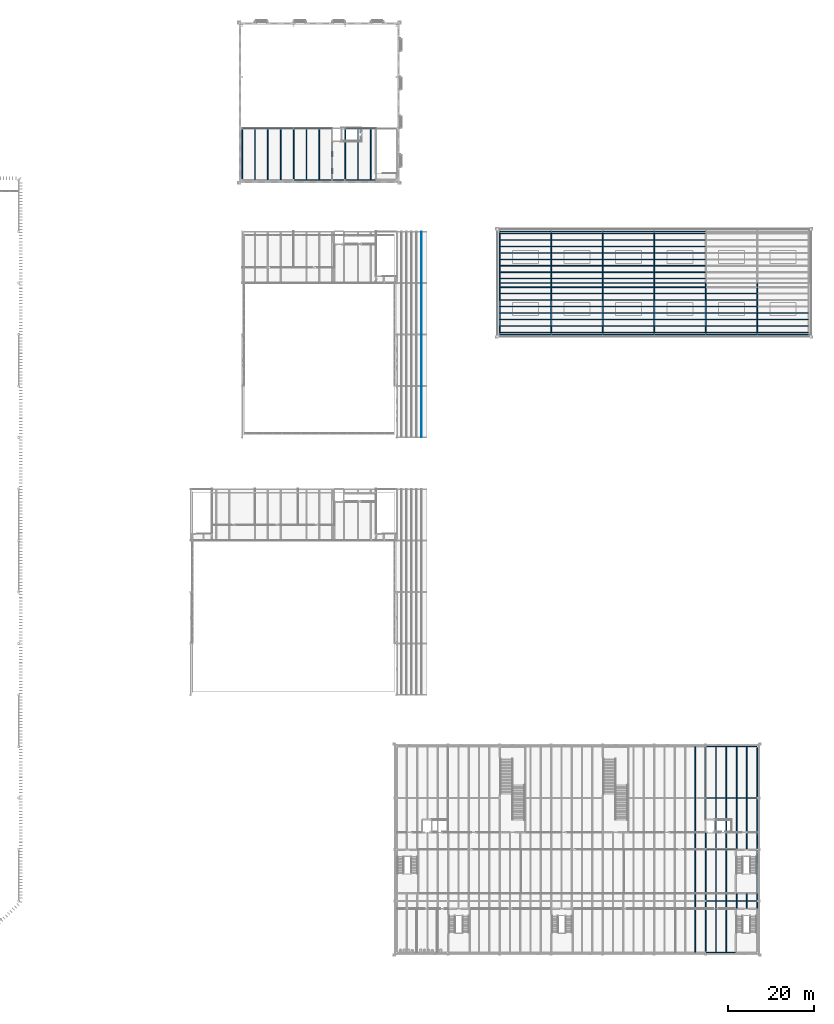
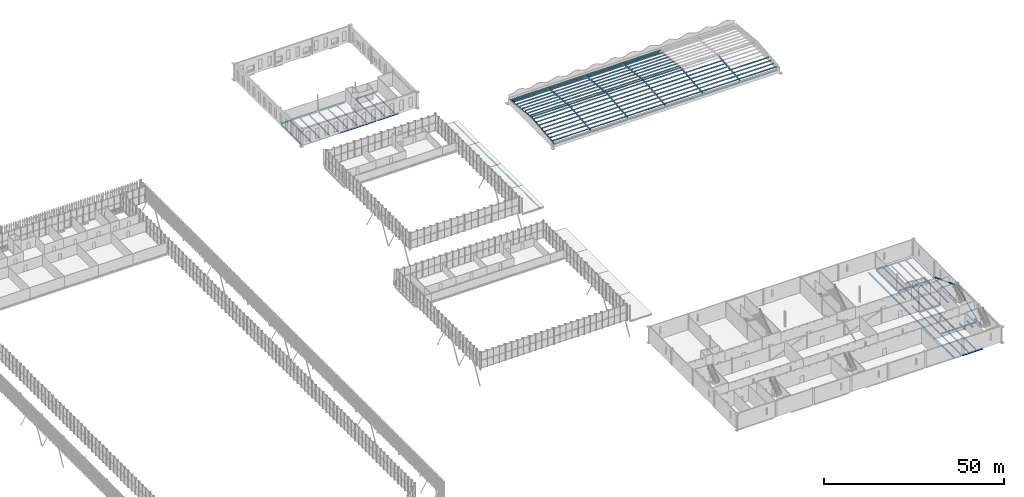
# One storey, part 84 of 170: 85 members, 70 beams.
"""IFC4 building model written with IfcOpenShell, lengths in metres."""

from ifc_helpers import new_model, si_unit, direction, frame, origin, origin_2d, place, context, subcontext, project, spatial, hollow_rectangle, i_section, extrude, material, material_profile, profile_set, type_object, element, save


model = new_model("IFC4")

# Units and contexts
model_context = context("Model", 3, precision=1e-05, world=origin(), true_north=direction((0.0, 1.0)))
body_context = subcontext(model_context, "Body", "Model", "MODEL_VIEW")
ifc_project = project(units=[si_unit("LENGTHUNIT", "METRE"), si_unit("AREAUNIT", "SQUARE_METRE"), si_unit("VOLUMEUNIT", "CUBIC_METRE"), si_unit("PLANEANGLEUNIT", "RADIAN"), si_unit("MASSUNIT", "GRAM", prefix="KILO")], contexts=[model_context])

# Site, building, storey
site_placement = place(None, origin())
site = spatial("IfcSite", under=ifc_project, at=site_placement, CompositionType="ELEMENT")
building_placement = place(site_placement, origin())
building = spatial("IfcBuilding", under=site, at=building_placement, Name="Ravi Spectrum Wholesale Market", CompositionType="ELEMENT")
storey_placement = place(building_placement, frame((0.0, 0.0, 5.39990234375)))
storey = spatial("IfcBuildingStorey", under=building, at=storey_placement, Name="L01", CompositionType="ELEMENT", Elevation=5.39990234375)

# Members
ifc_material_1 = material(Name="Steel S355", Category="steel")
ifc_material_profile_1 = material_profile(ifc_material_1, i_section(OverallWidth=0.10009765625, OverallDepth=0.199951171875, WebThickness=0.005615234375, FlangeThickness=0.008544921875, at=origin_2d()))
ifc_profile_set_1 = profile_set([ifc_material_profile_1], Name="Steel S355")
member_type_1 = type_object("IfcMemberType", Name="IPE 200 purlin", PredefinedType="PURLIN", material=ifc_profile_set_1)
for number, where, z_axis, x_axis, name in (
    (1, (203.833251953125, 138.0849609375, -0.099853515625), (0.0, 1.0, 0.0), (-1.0, 0.0, 0.0), "H3-MB-L01-013"),
    (2, (203.833251953125, 150.0849609375, -0.099853515625), (0.0, 1.0, 0.0), (-1.0, 0.0, 0.0), "H3-MB-L01-018"),
    (3, (203.833251953125, 162.0849609375, -0.099853515625), (0.0, 1.0, 0.0), (-1.0, 0.0, 0.0), "H3-MB-L01-023"),
    (4, (203.833251953125, 174.0849609375, -0.099853515625), (0.0, 1.0, 0.0), (-1.0, 0.0, 0.0), "H3-MB-L01-028"),
):
    element("IfcMember", number, at=place(storey_placement, frame(where, z_axis=z_axis, x_axis=x_axis)), inside=storey, type_object=member_type_1, Name=name, PredefinedType="PURLIN", context=body_context, shape_type="SweptSolid", body=[
        extrude(i_section(OverallWidth=0.10009765625, OverallDepth=0.199951171875, WebThickness=0.005615234375, FlangeThickness=0.008544921875, at=origin_2d()), origin(), (0.0, 0.0, 1.0), 11.830078125),
    ])
ifc_material_2 = material(Name="Steel S355", Category="steel")
ifc_material_profile_2 = material_profile(ifc_material_2, i_section(OverallWidth=0.135009765625, OverallDepth=0.27001953125, WebThickness=0.006591796875, FlangeThickness=0.01025390625, at=origin_2d()))
ifc_profile_set_2 = profile_set([ifc_material_profile_2], Name="Steel S355")
member_type_2 = type_object("IfcMemberType", Name="IPE 270 purlin", PredefinedType="PURLIN", material=ifc_profile_set_2)
for number, where, z_axis, x_axis, name in (
    (5, (222.10009765625, 162.5, 1.601318359375), (1.0, 0.0, 0.0), (0.0, 1.0, 0.0), "GS-MB-L01-001"),
    (6, (222.10009765625, 164.0, 1.751220703125), (1.0, 0.0, 0.0), (0.0, 1.0, 0.0), "GS-MB-L01-002"),
    (7, (222.10009765625, 165.5, 1.9013671875), (1.0, 0.0, 0.0), (0.0, 1.0, 0.0), "GS-MB-L01-003"),
    (8, (222.10009765625, 167.0, 2.05126953125), (1.0, 0.0, 0.0), (0.0, 1.0, 0.0), "GS-MB-L01-004"),
    (9, (222.10009765625, 168.5, 2.201171875), (1.0, 0.0, 0.0), (0.0, 1.0, 0.0), "GS-MB-L01-005"),
    (10, (222.10009765625, 170.0, 2.351318359375), (1.0, 0.0, 0.0), (0.0, 1.0, 0.0), "GS-MB-L01-006"),
    (11, (222.10009765625, 171.5, 2.501220703125), (1.0, 0.0, 0.0), (0.0, 1.0, 0.0), "GS-MB-L01-007"),
    (12, (222.10009765625, 173.0, 2.6513671875), (1.0, 0.0, 0.0), (0.0, 1.0, 0.0), "GS-MB-L01-008"),
    (13, (222.10009765625, 185.5, 1.601318359375), (1.0, 0.0, 0.0), (0.0, 1.0, 0.0), "GS-MB-L01-009"),
    (14, (222.10009765625, 184.0, 1.751220703125), (1.0, 0.0, 0.0), (0.0, 1.0, 0.0), "GS-MB-L01-010"),
    (15, (222.10009765625, 182.5, 1.9013671875), (1.0, 0.0, 0.0), (0.0, 1.0, 0.0), "GS-MB-L01-011"),
    (16, (222.10009765625, 181.0, 2.05126953125), (1.0, 0.0, 0.0), (0.0, 1.0, 0.0), "GS-MB-L01-012"),
    (17, (222.10009765625, 179.5, 2.201171875), (1.0, 0.0, 0.0), (0.0, 1.0, 0.0), "GS-MB-L01-013"),
    (18, (222.10009765625, 178.0, 2.351318359375), (1.0, 0.0, 0.0), (0.0, 1.0, 0.0), "GS-MB-L01-014"),
    (19, (222.10009765625, 176.5, 2.501220703125), (1.0, 0.0, 0.0), (0.0, 1.0, 0.0), "GS-MB-L01-015"),
    (20, (222.10009765625, 175.0, 2.6513671875), (1.0, 0.0, 0.0), (0.0, 1.0, 0.0), "GS-MB-L01-016"),
    (21, (222.10009765625, 174.0, 2.744384765625), (1.0, 0.0, 0.0), (0.0, 1.0, 0.0), "GS-MB-L01-017"),
    (22, (234.10009765625, 162.5, 1.601318359375), (1.0, 0.0, 0.0), (0.0, 1.0, 0.0), "GS-MB-L01-018"),
    (23, (234.10009765625, 164.0, 1.751220703125), (1.0, 0.0, 0.0), (0.0, 1.0, 0.0), "GS-MB-L01-019"),
    (24, (234.10009765625, 165.5, 1.9013671875), (1.0, 0.0, 0.0), (0.0, 1.0, 0.0), "GS-MB-L01-020"),
    (25, (234.10009765625, 167.0, 2.05126953125), (1.0, 0.0, 0.0), (0.0, 1.0, 0.0), "GS-MB-L01-021"),
    (26, (234.10009765625, 168.5, 2.201171875), (1.0, 0.0, 0.0), (0.0, 1.0, 0.0), "GS-MB-L01-022"),
    (27, (234.10009765625, 170.0, 2.351318359375), (1.0, 0.0, 0.0), (0.0, 1.0, 0.0), "GS-MB-L01-023"),
    (28, (234.10009765625, 171.5, 2.501220703125), (1.0, 0.0, 0.0), (0.0, 1.0, 0.0), "GS-MB-L01-024"),
    (29, (234.10009765625, 173.0, 2.6513671875), (1.0, 0.0, 0.0), (0.0, 1.0, 0.0), "GS-MB-L01-025"),
    (30, (234.10009765625, 185.5, 1.601318359375), (1.0, 0.0, 0.0), (0.0, 1.0, 0.0), "GS-MB-L01-026"),
    (31, (234.10009765625, 184.0, 1.751220703125), (1.0, 0.0, 0.0), (0.0, 1.0, 0.0), "GS-MB-L01-027"),
    (32, (234.10009765625, 182.5, 1.9013671875), (1.0, 0.0, 0.0), (0.0, 1.0, 0.0), "GS-MB-L01-028"),
    (33, (234.10009765625, 181.0, 2.05126953125), (1.0, 0.0, 0.0), (0.0, 1.0, 0.0), "GS-MB-L01-029"),
    (34, (234.10009765625, 179.5, 2.201171875), (1.0, 0.0, 0.0), (0.0, 1.0, 0.0), "GS-MB-L01-030"),
    (35, (234.10009765625, 178.0, 2.351318359375), (1.0, 0.0, 0.0), (0.0, 1.0, 0.0), "GS-MB-L01-031"),
    (36, (234.10009765625, 176.5, 2.501220703125), (1.0, 0.0, 0.0), (0.0, 1.0, 0.0), "GS-MB-L01-032"),
    (37, (234.10009765625, 175.0, 2.6513671875), (1.0, 0.0, 0.0), (0.0, 1.0, 0.0), "GS-MB-L01-033"),
    (38, (234.10009765625, 174.0, 2.744384765625), (1.0, 0.0, 0.0), (0.0, 1.0, 0.0), "GS-MB-L01-034"),
    (39, (246.10009765625, 162.5, 1.601318359375), (1.0, 0.0, 0.0), (0.0, 1.0, 0.0), "GS-MB-L01-035"),
    (40, (246.10009765625, 164.0, 1.751220703125), (1.0, 0.0, 0.0), (0.0, 1.0, 0.0), "GS-MB-L01-036"),
    (41, (246.10009765625, 165.5, 1.9013671875), (1.0, 0.0, 0.0), (0.0, 1.0, 0.0), "GS-MB-L01-037"),
    (42, (246.10009765625, 167.0, 2.05126953125), (1.0, 0.0, 0.0), (0.0, 1.0, 0.0), "GS-MB-L01-038"),
    (43, (246.10009765625, 168.5, 2.201171875), (1.0, 0.0, 0.0), (0.0, 1.0, 0.0), "GS-MB-L01-039"),
    (44, (246.10009765625, 170.0, 2.351318359375), (1.0, 0.0, 0.0), (0.0, 1.0, 0.0), "GS-MB-L01-040"),
    (45, (246.10009765625, 171.5, 2.501220703125), (1.0, 0.0, 0.0), (0.0, 1.0, 0.0), "GS-MB-L01-041"),
    (46, (246.10009765625, 173.0, 2.6513671875), (1.0, 0.0, 0.0), (0.0, 1.0, 0.0), "GS-MB-L01-042"),
    (47, (246.10009765625, 185.5, 1.601318359375), (1.0, 0.0, 0.0), (0.0, 1.0, 0.0), "GS-MB-L01-043"),
    (48, (246.10009765625, 184.0, 1.751220703125), (1.0, 0.0, 0.0), (0.0, 1.0, 0.0), "GS-MB-L01-044"),
    (49, (246.10009765625, 182.5, 1.9013671875), (1.0, 0.0, 0.0), (0.0, 1.0, 0.0), "GS-MB-L01-045"),
    (50, (246.10009765625, 181.0, 2.05126953125), (1.0, 0.0, 0.0), (0.0, 1.0, 0.0), "GS-MB-L01-046"),
    (51, (246.10009765625, 179.5, 2.201171875), (1.0, 0.0, 0.0), (0.0, 1.0, 0.0), "GS-MB-L01-047"),
    (52, (246.10009765625, 178.0, 2.351318359375), (1.0, 0.0, 0.0), (0.0, 1.0, 0.0), "GS-MB-L01-048"),
    (53, (246.10009765625, 176.5, 2.501220703125), (1.0, 0.0, 0.0), (0.0, 1.0, 0.0), "GS-MB-L01-049"),
    (54, (246.10009765625, 175.0, 2.6513671875), (1.0, 0.0, 0.0), (0.0, 1.0, 0.0), "GS-MB-L01-050"),
    (55, (246.10009765625, 174.0, 2.744384765625), (1.0, 0.0, 0.0), (0.0, 1.0, 0.0), "GS-MB-L01-051"),
    (56, (258.10009765625, 162.5, 1.601318359375), (1.0, 0.0, 0.0), (0.0, 1.0, 0.0), "GS-MB-L01-052"),
    (57, (258.10009765625, 164.0, 1.751220703125), (1.0, 0.0, 0.0), (0.0, 1.0, 0.0), "GS-MB-L01-053"),
    (58, (258.10009765625, 165.5, 1.9013671875), (1.0, 0.0, 0.0), (0.0, 1.0, 0.0), "GS-MB-L01-054"),
    (59, (258.10009765625, 167.0, 2.05126953125), (1.0, 0.0, 0.0), (0.0, 1.0, 0.0), "GS-MB-L01-055"),
    (60, (258.10009765625, 168.5, 2.201171875), (1.0, 0.0, 0.0), (0.0, 1.0, 0.0), "GS-MB-L01-056"),
    (61, (258.10009765625, 170.0, 2.351318359375), (1.0, 0.0, 0.0), (0.0, 1.0, 0.0), "GS-MB-L01-057"),
    (62, (258.10009765625, 171.5, 2.501220703125), (1.0, 0.0, 0.0), (0.0, 1.0, 0.0), "GS-MB-L01-058"),
    (63, (258.10009765625, 173.0, 2.6513671875), (1.0, 0.0, 0.0), (0.0, 1.0, 0.0), "GS-MB-L01-059"),
    (64, (258.10009765625, 185.5, 1.601318359375), (1.0, 0.0, 0.0), (0.0, 1.0, 0.0), "GS-MB-L01-060"),
    (65, (258.10009765625, 184.0, 1.751220703125), (1.0, 0.0, 0.0), (0.0, 1.0, 0.0), "GS-MB-L01-061"),
    (66, (258.10009765625, 182.5, 1.9013671875), (1.0, 0.0, 0.0), (0.0, 1.0, 0.0), "GS-MB-L01-062"),
    (67, (258.10009765625, 181.0, 2.05126953125), (1.0, 0.0, 0.0), (0.0, 1.0, 0.0), "GS-MB-L01-063"),
    (68, (258.10009765625, 179.5, 2.201171875), (1.0, 0.0, 0.0), (0.0, 1.0, 0.0), "GS-MB-L01-064"),
    (69, (258.10009765625, 178.0, 2.351318359375), (1.0, 0.0, 0.0), (0.0, 1.0, 0.0), "GS-MB-L01-065"),
    (70, (258.10009765625, 176.5, 2.501220703125), (1.0, 0.0, 0.0), (0.0, 1.0, 0.0), "GS-MB-L01-066"),
    (71, (258.10009765625, 175.0, 2.6513671875), (1.0, 0.0, 0.0), (0.0, 1.0, 0.0), "GS-MB-L01-067"),
    (72, (258.10009765625, 174.0, 2.744384765625), (1.0, 0.0, 0.0), (0.0, 1.0, 0.0), "GS-MB-L01-068"),
    (73, (270.10009765625, 162.5, 1.601318359375), (1.0, 0.0, 0.0), (0.0, 1.0, 0.0), "GS-MB-L01-069"),
    (74, (270.10009765625, 164.0, 1.751220703125), (1.0, 0.0, 0.0), (0.0, 1.0, 0.0), "GS-MB-L01-070"),
    (75, (270.10009765625, 165.5, 1.9013671875), (1.0, 0.0, 0.0), (0.0, 1.0, 0.0), "GS-MB-L01-071"),
    (76, (270.10009765625, 167.0, 2.05126953125), (1.0, 0.0, 0.0), (0.0, 1.0, 0.0), "GS-MB-L01-072"),
    (77, (270.10009765625, 168.5, 2.201171875), (1.0, 0.0, 0.0), (0.0, 1.0, 0.0), "GS-MB-L01-073"),
    (78, (270.10009765625, 170.0, 2.351318359375), (1.0, 0.0, 0.0), (0.0, 1.0, 0.0), "GS-MB-L01-074"),
    (79, (270.10009765625, 171.5, 2.501220703125), (1.0, 0.0, 0.0), (0.0, 1.0, 0.0), "GS-MB-L01-075"),
    (80, (282.10009765625, 162.5, 1.601318359375), (1.0, 0.0, 0.0), (0.0, 1.0, 0.0), "GS-MB-L01-086"),
    (81, (282.10009765625, 164.0, 1.751220703125), (1.0, 0.0, 0.0), (0.0, 1.0, 0.0), "GS-MB-L01-087"),
    (82, (282.10009765625, 165.5, 1.9013671875), (1.0, 0.0, 0.0), (0.0, 1.0, 0.0), "GS-MB-L01-088"),
    (83, (282.10009765625, 167.0, 2.05126953125), (1.0, 0.0, 0.0), (0.0, 1.0, 0.0), "GS-MB-L01-089"),
):
    element("IfcMember", number, at=place(storey_placement, frame(where, z_axis=z_axis, x_axis=x_axis)), inside=storey, type_object=member_type_2, Name=name, PredefinedType="PURLIN", context=body_context, shape_type="SweptSolid", body=[
        extrude(i_section(OverallWidth=0.135009765625, OverallDepth=0.27001953125, WebThickness=0.006591796875, FlangeThickness=0.01025390625, at=origin_2d()), origin(), (0.0, 0.0, 1.0), 11.7998046875),
    ])

# Beams
ifc_material_3 = material(Name="Steel S355", Category="steel")
ifc_material_profile_3 = material_profile(ifc_material_3, i_section(OverallWidth=0.169921875, OverallDepth=0.360107421875, WebThickness=0.008056640625, FlangeThickness=0.0126953125, at=origin_2d()))
ifc_profile_set_3 = profile_set([ifc_material_profile_3], Name="Steel S355")
beam_type_1 = type_object("IfcBeamType", Name="IPE 360 beam", PredefinedType="BEAM", material=ifc_profile_set_3)
for number, where, z_axis, x_axis, name in (
    (84, (222.14990234375, 162.0, 0.72705078125), (1.0, 0.0, 0.0), (0.0, 1.0, 0.0), "GS-BM-L01-001"),
    (85, (234.14990234375, 162.0, 0.72705078125), (1.0, 0.0, 0.0), (0.0, 1.0, 0.0), "GS-BM-L01-002"),
    (86, (246.14990234375, 162.0, 0.72705078125), (1.0, 0.0, 0.0), (0.0, 1.0, 0.0), "GS-BM-L01-003"),
    (87, (258.14990234375, 162.0, 0.72705078125), (1.0, 0.0, 0.0), (0.0, 1.0, 0.0), "GS-BM-L01-004"),
    (88, (270.14990234375, 162.0, 0.72705078125), (1.0, 0.0, 0.0), (0.0, 1.0, 0.0), "GS-BM-L01-005"),
    (89, (282.14990234375, 162.0, 0.72705078125), (1.0, 0.0, 0.0), (0.0, 1.0, 0.0), "GS-BM-L01-006"),
    (90, (222.14990234375, 186.0, 0.72705078125), (1.0, 0.0, 0.0), (0.0, 1.0, 0.0), "GS-BM-L01-007"),
    (91, (234.14990234375, 186.0, 0.72705078125), (1.0, 0.0, 0.0), (0.0, 1.0, 0.0), "GS-BM-L01-008"),
    (92, (246.14990234375, 186.0, 0.72705078125), (1.0, 0.0, 0.0), (0.0, 1.0, 0.0), "GS-BM-L01-009"),
    (93, (258.14990234375, 186.0, 0.72705078125), (1.0, 0.0, 0.0), (0.0, 1.0, 0.0), "GS-BM-L01-010"),
):
    element("IfcBeam", number, at=place(storey_placement, frame(where, z_axis=z_axis, x_axis=x_axis)), inside=storey, type_object=beam_type_1, Name=name, PredefinedType="BEAM", context=body_context, shape_type="SweptSolid", body=[
        extrude(i_section(OverallWidth=0.169921875, OverallDepth=0.360107421875, WebThickness=0.008056640625, FlangeThickness=0.0126953125, at=origin_2d()), origin(), (0.0, 0.0, 1.0), 11.7001953125),
    ])
ifc_material_4 = material(Name="Steel S355", Category="steel")
ifc_material_profile_4 = material_profile(ifc_material_4, i_section(OverallWidth=0.179931640625, OverallDepth=0.39990234375, WebThickness=0.008544921875, FlangeThickness=0.013427734375, at=origin_2d()))
ifc_profile_set_4 = profile_set([ifc_material_profile_4], Name="Steel S355")
beam_type_2 = type_object("IfcBeamType", Name="IPE 400 girder", PredefinedType="BEAM", material=ifc_profile_set_4)
for number, where, z_axis, x_axis, name in (
    (94, (165.0, 198.10009765625, -0.39990234375), (0.0, 1.0, 0.0), (-1.0, 0.0, 0.0), "AU-BM-L01-011"),
    (95, (168.0, 198.10009765625, -0.39990234375), (0.0, 1.0, 0.0), (-1.0, 0.0, 0.0), "AU-BM-L01-012"),
    (96, (171.0, 198.10009765625, -0.39990234375), (0.0, 1.0, 0.0), (-1.0, 0.0, 0.0), "AU-BM-L01-013"),
    (97, (177.0, 198.10009765625, -0.39990234375), (0.0, 1.0, 0.0), (-1.0, 0.0, 0.0), "AU-BM-L01-014"),
    (98, (180.0, 198.10009765625, -0.39990234375), (0.0, 1.0, 0.0), (-1.0, 0.0, 0.0), "AU-BM-L01-015"),
):
    element("IfcBeam", number, at=place(storey_placement, frame(where, z_axis=z_axis, x_axis=x_axis)), inside=storey, type_object=beam_type_2, Name=name, PredefinedType="BEAM", context=body_context, shape_type="SweptSolid", body=[
        extrude(i_section(OverallWidth=0.179931640625, OverallDepth=0.39990234375, WebThickness=0.008544921875, FlangeThickness=0.013427734375, at=origin_2d()), origin(), (0.0, 0.0, 1.0), 11.7998046875),
    ])
beam_1_placement = place(storey_placement, frame((183.0, 198.10009765625, -0.39990234375), z_axis=(0.0, 1.0, 0.0), x_axis=(-1.0, 0.0, 0.0)))
element("IfcBeam", 99, at=beam_1_placement, inside=storey, type_object=beam_type_2, Name="AU-BM-L01-016", PredefinedType="BEAM", context=body_context, shape_type="SweptSolid", body=[
    extrude(i_section(OverallWidth=0.179931640625, OverallDepth=0.39990234375, WebThickness=0.008544921875, FlangeThickness=0.013427734375, at=origin_2d()), origin(), (0.0, 0.0, 1.0), 8.824951171875),
])
for number, where, z_axis, x_axis, name in (
    (100, (189.0, 198.10009765625, -0.39990234375), (0.0, 1.0, 0.0), (-1.0, 0.0, 0.0), "AU-BM-L01-017"),
    (101, (192.0, 198.10009765625, -0.39990234375), (0.0, 1.0, 0.0), (-1.0, 0.0, 0.0), "AU-BM-L01-018"),
):
    element("IfcBeam", number, at=place(storey_placement, frame(where, z_axis=z_axis, x_axis=x_axis)), inside=storey, type_object=beam_type_2, Name=name, PredefinedType="BEAM", context=body_context, shape_type="SweptSolid", body=[
        extrude(i_section(OverallWidth=0.179931640625, OverallDepth=0.39990234375, WebThickness=0.008544921875, FlangeThickness=0.013427734375, at=origin_2d()), origin(), (0.0, 0.0, 1.0), 11.7998046875),
    ])
ifc_material_5 = material(Name="Steel S355", Category="steel")
ifc_material_profile_5 = material_profile(ifc_material_5, i_section(OverallWidth=0.18994140625, OverallDepth=0.449951171875, WebThickness=0.009521484375, FlangeThickness=0.0146484375, at=origin_2d()))
ifc_profile_set_5 = profile_set([ifc_material_profile_5], Name="Steel S355")
beam_type_3 = type_object("IfcBeamType", Name="IPE 450 girder", PredefinedType="BEAM", material=ifc_profile_set_5)
beam_2_placement = place(storey_placement, frame((270.0, 18.169921875, -0.474853515625), z_axis=(0.0, 1.0, 0.0), x_axis=(-1.0, 0.0, 0.0)))
element("IfcBeam", 102, at=beam_2_placement, inside=storey, type_object=beam_type_3, Name="CS-BM-L01-059", PredefinedType="BEAM", context=body_context, shape_type="SweptSolid", body=[
    extrude(i_section(OverallWidth=0.18994140625, OverallDepth=0.449951171875, WebThickness=0.009521484375, FlangeThickness=0.0146484375, at=origin_2d()), origin(), (0.0, 0.0, 1.0), 11.630126953125),
])
beam_3_placement = place(storey_placement, frame((270.0, 30.199951171875, -0.474853515625), z_axis=(0.0, 1.0, 0.0), x_axis=(-1.0, 0.0, 0.0)))
element("IfcBeam", 103, at=beam_3_placement, inside=storey, type_object=beam_type_3, Name="CS-BM-L01-060", PredefinedType="BEAM", context=body_context, shape_type="SweptSolid", body=[
    extrude(i_section(OverallWidth=0.18994140625, OverallDepth=0.449951171875, WebThickness=0.009521484375, FlangeThickness=0.0146484375, at=origin_2d()), origin(), (0.0, 0.0, 1.0), 11.60009765625),
])
beam_4_placement = place(storey_placement, frame((270.0, 42.199951171875, -0.474853515625), z_axis=(0.0, 1.0, 0.0), x_axis=(-1.0, 0.0, 0.0)))
element("IfcBeam", 104, at=beam_4_placement, inside=storey, type_object=beam_type_3, Name="CS-BM-L01-061", PredefinedType="BEAM", context=body_context, shape_type="SweptSolid", body=[
    extrude(i_section(OverallWidth=0.18994140625, OverallDepth=0.449951171875, WebThickness=0.009521484375, FlangeThickness=0.0146484375, at=origin_2d()), origin(), (0.0, 0.0, 1.0), 3.675048828125),
])
beam_5_placement = place(storey_placement, frame((270.0, 49.074951171875, -0.474853515625), z_axis=(0.0, 1.0, 0.0), x_axis=(-1.0, 0.0, 0.0)))
element("IfcBeam", 105, at=beam_5_placement, inside=storey, type_object=beam_type_3, Name="CS-BM-L01-062", PredefinedType="BEAM", context=body_context, shape_type="SweptSolid", body=[
    extrude(i_section(OverallWidth=0.18994140625, OverallDepth=0.449951171875, WebThickness=0.009521484375, FlangeThickness=0.0146484375, at=origin_2d()), origin(), (0.0, 0.0, 1.0), 4.72509765625),
])
beam_6_placement = place(storey_placement, frame((270.0, 54.199951171875, -0.474853515625), z_axis=(0.0, 1.0, 0.0), x_axis=(-1.0, 0.0, 0.0)))
element("IfcBeam", 106, at=beam_6_placement, inside=storey, type_object=beam_type_3, Name="CS-BM-L01-063", PredefinedType="BEAM", context=body_context, shape_type="SweptSolid", body=[
    extrude(i_section(OverallWidth=0.18994140625, OverallDepth=0.449951171875, WebThickness=0.009521484375, FlangeThickness=0.0146484375, at=origin_2d()), origin(), (0.0, 0.0, 1.0), 11.630126953125),
])
for number, where, z_axis, x_axis, name in (
    (107, (282.0, 28.324951171875, -0.474853515625), (0.0, 1.0, 0.0), (-1.0, 0.0, 0.0), "CS-BM-L01-064"),
    (108, (282.0, 30.169921875, -0.474853515625), (0.0, 1.0, 0.0), (-1.0, 0.0, 0.0), "CS-BM-L01-065"),
):
    element("IfcBeam", number, at=place(storey_placement, frame(where, z_axis=z_axis, x_axis=x_axis)), inside=storey, type_object=beam_type_3, Name=name, PredefinedType="BEAM", context=body_context, shape_type="SweptSolid", body=[
        extrude(i_section(OverallWidth=0.18994140625, OverallDepth=0.449951171875, WebThickness=0.009521484375, FlangeThickness=0.0146484375, at=origin_2d()), origin(), (0.0, 0.0, 1.0), 1.505126953125),
    ])
for number, where, z_axis, x_axis, name in (
    (109, (282.0, 42.169921875, -0.474853515625), (0.0, 1.0, 0.0), (-1.0, 0.0, 0.0), "CS-BM-L01-066"),
    (110, (282.0, 54.169921875, -0.474853515625), (0.0, 1.0, 0.0), (-1.0, 0.0, 0.0), "CS-BM-L01-067"),
    (111, (162.0, 198.169921875, -0.4248046875), (0.0, 1.0, 0.0), (-1.0, 0.0, 0.0), "AU-BM-L01-008"),
    (112, (174.0, 198.169921875, -0.4248046875), (0.0, 1.0, 0.0), (-1.0, 0.0, 0.0), "AU-BM-L01-009"),
    (113, (186.0, 198.169921875, -0.4248046875), (0.0, 1.0, 0.0), (-1.0, 0.0, 0.0), "AU-BM-L01-010"),
):
    element("IfcBeam", number, at=place(storey_placement, frame(where, z_axis=z_axis, x_axis=x_axis)), inside=storey, type_object=beam_type_3, Name=name, PredefinedType="BEAM", context=body_context, shape_type="SweptSolid", body=[
        extrude(i_section(OverallWidth=0.18994140625, OverallDepth=0.449951171875, WebThickness=0.009521484375, FlangeThickness=0.0146484375, at=origin_2d()), origin(), (0.0, 0.0, 1.0), 11.66015625),
    ])
ifc_material_6 = material(Name="Steel S355", Category="steel")
ifc_material_profile_6 = material_profile(ifc_material_6, i_section(OverallWidth=0.199951171875, OverallDepth=0.5, WebThickness=0.01025390625, FlangeThickness=0.01611328125, at=origin_2d()))
ifc_profile_set_6 = profile_set([ifc_material_profile_6], Name="Steel S355")
beam_type_4 = type_object("IfcBeamType", Name="IPE 500 beam", PredefinedType="BEAM", material=ifc_profile_set_6)
beam_7_placement = place(storey_placement, frame((270.14990234375, 18.0, -0.5), z_axis=(1.0, 0.0, 0.0), x_axis=(0.0, 1.0, 0.0)))
element("IfcBeam", 114, at=beam_7_placement, inside=storey, type_object=beam_type_4, Name="CS-BM-L01-007", PredefinedType="BEAM", context=body_context, shape_type="SweptSolid", body=[
    extrude(i_section(OverallWidth=0.199951171875, OverallDepth=0.5, WebThickness=0.01025390625, FlangeThickness=0.01611328125, at=origin_2d()), origin(), (0.0, 0.0, 1.0), 6.72509765625),
])
beam_8_placement = place(storey_placement, frame((270.14990234375, 30.0, -0.5), z_axis=(1.0, 0.0, 0.0), x_axis=(0.0, 1.0, 0.0)))
element("IfcBeam", 115, at=beam_8_placement, inside=storey, type_object=beam_type_4, Name="CS-BM-L01-014", PredefinedType="BEAM", context=body_context, shape_type="SweptSolid", body=[
    extrude(i_section(OverallWidth=0.199951171875, OverallDepth=0.5, WebThickness=0.01025390625, FlangeThickness=0.01611328125, at=origin_2d()), origin(), (0.0, 0.0, 1.0), 11.7001953125),
])
beam_9_placement = place(storey_placement, frame((270.14990234375, 42.0, -0.5), z_axis=(1.0, 0.0, 0.0), x_axis=(0.0, 1.0, 0.0)))
element("IfcBeam", 116, at=beam_9_placement, inside=storey, type_object=beam_type_4, Name="CS-BM-L01-021", PredefinedType="BEAM", context=body_context, shape_type="SweptSolid", body=[
    extrude(i_section(OverallWidth=0.199951171875, OverallDepth=0.5, WebThickness=0.01025390625, FlangeThickness=0.01611328125, at=origin_2d()), origin(), (0.0, 0.0, 1.0), 6.72509765625),
])
for number, where, z_axis, x_axis, name in (
    (117, (270.14990234375, 54.0, -0.5), (1.0, 0.0, 0.0), (0.0, 1.0, 0.0), "CS-BM-L01-028"),
    (118, (270.14990234375, 66.0, -0.5), (1.0, 0.0, 0.0), (0.0, 1.0, 0.0), "CS-BM-L01-035"),
):
    element("IfcBeam", number, at=place(storey_placement, frame(where, z_axis=z_axis, x_axis=x_axis)), inside=storey, type_object=beam_type_4, Name=name, PredefinedType="BEAM", context=body_context, shape_type="SweptSolid", body=[
        extrude(i_section(OverallWidth=0.199951171875, OverallDepth=0.5, WebThickness=0.01025390625, FlangeThickness=0.01611328125, at=origin_2d()), origin(), (0.0, 0.0, 1.0), 11.7001953125),
    ])
for number, where, z_axis, x_axis, name in (
    (119, (267.60009765625, 18.10009765625, -0.5), (0.0, 1.0, 0.0), (-1.0, 0.0, 0.0), "CS-BM-L01-149"),
    (120, (267.60009765625, 30.10009765625, -0.5), (0.0, 1.0, 0.0), (-1.0, 0.0, 0.0), "CS-BM-L01-153"),
    (121, (267.60009765625, 42.10009765625, -0.5), (0.0, 1.0, 0.0), (-1.0, 0.0, 0.0), "CS-BM-L01-157"),
    (122, (267.60009765625, 54.10009765625, -0.5), (0.0, 1.0, 0.0), (-1.0, 0.0, 0.0), "CS-BM-L01-161"),
    (123, (272.39990234375, 18.10009765625, -0.5), (0.0, 1.0, 0.0), (-1.0, 0.0, 0.0), "CS-BM-L01-162"),
    (124, (274.800048828125, 18.10009765625, -0.5), (0.0, 1.0, 0.0), (-1.0, 0.0, 0.0), "CS-BM-L01-163"),
):
    element("IfcBeam", number, at=place(storey_placement, frame(where, z_axis=z_axis, x_axis=x_axis)), inside=storey, type_object=beam_type_4, Name=name, PredefinedType="BEAM", context=body_context, shape_type="SweptSolid", body=[
        extrude(i_section(OverallWidth=0.199951171875, OverallDepth=0.5, WebThickness=0.01025390625, FlangeThickness=0.01611328125, at=origin_2d()), origin(), (0.0, 0.0, 1.0), 11.7998046875),
    ])
for number, where, z_axis, x_axis, name in (
    (125, (277.199951171875, 28.324951171875, -0.5), (0.0, 1.0, 0.0), (-1.0, 0.0, 0.0), "CS-BM-L01-164"),
    (126, (279.60009765625, 28.324951171875, -0.5), (0.0, 1.0, 0.0), (-1.0, 0.0, 0.0), "CS-BM-L01-165"),
):
    element("IfcBeam", number, at=place(storey_placement, frame(where, z_axis=z_axis, x_axis=x_axis)), inside=storey, type_object=beam_type_4, Name=name, PredefinedType="BEAM", context=body_context, shape_type="SweptSolid", body=[
        extrude(i_section(OverallWidth=0.199951171875, OverallDepth=0.5, WebThickness=0.01025390625, FlangeThickness=0.01611328125, at=origin_2d()), origin(), (0.0, 0.0, 1.0), 1.574951171875),
    ])
for number, where, z_axis, x_axis, name in (
    (127, (272.39990234375, 30.10009765625, -0.5), (0.0, 1.0, 0.0), (-1.0, 0.0, 0.0), "CS-BM-L01-166"),
    (128, (274.800048828125, 30.10009765625, -0.5), (0.0, 1.0, 0.0), (-1.0, 0.0, 0.0), "CS-BM-L01-167"),
):
    element("IfcBeam", number, at=place(storey_placement, frame(where, z_axis=z_axis, x_axis=x_axis)), inside=storey, type_object=beam_type_4, Name=name, PredefinedType="BEAM", context=body_context, shape_type="SweptSolid", body=[
        extrude(i_section(OverallWidth=0.199951171875, OverallDepth=0.5, WebThickness=0.01025390625, FlangeThickness=0.01611328125, at=origin_2d()), origin(), (0.0, 0.0, 1.0), 11.7998046875),
    ])
for number, where, z_axis, x_axis, name in (
    (129, (277.199951171875, 30.10009765625, -0.5), (0.0, 1.0, 0.0), (-1.0, 0.0, 0.0), "CS-BM-L01-168"),
    (130, (279.60009765625, 30.10009765625, -0.5), (0.0, 1.0, 0.0), (-1.0, 0.0, 0.0), "CS-BM-L01-169"),
):
    element("IfcBeam", number, at=place(storey_placement, frame(where, z_axis=z_axis, x_axis=x_axis)), inside=storey, type_object=beam_type_4, Name=name, PredefinedType="BEAM", context=body_context, shape_type="SweptSolid", body=[
        extrude(i_section(OverallWidth=0.199951171875, OverallDepth=0.5, WebThickness=0.01025390625, FlangeThickness=0.01611328125, at=origin_2d()), origin(), (0.0, 0.0, 1.0), 1.574951171875),
    ])
for number, where, z_axis, x_axis, name in (
    (131, (272.39990234375, 42.10009765625, -0.5), (0.0, 1.0, 0.0), (-1.0, 0.0, 0.0), "CS-BM-L01-170"),
    (132, (274.800048828125, 42.10009765625, -0.5), (0.0, 1.0, 0.0), (-1.0, 0.0, 0.0), "CS-BM-L01-172"),
):
    element("IfcBeam", number, at=place(storey_placement, frame(where, z_axis=z_axis, x_axis=x_axis)), inside=storey, type_object=beam_type_4, Name=name, PredefinedType="BEAM", context=body_context, shape_type="SweptSolid", body=[
        extrude(i_section(OverallWidth=0.199951171875, OverallDepth=0.5, WebThickness=0.01025390625, FlangeThickness=0.01611328125, at=origin_2d()), origin(), (0.0, 0.0, 1.0), 11.7998046875),
    ])
for number, where, z_axis, x_axis, name in (
    (133, (277.199951171875, 42.125, -0.5), (0.0, 1.0, 0.0), (-1.0, 0.0, 0.0), "CS-BM-L01-174"),
    (134, (279.60009765625, 42.125, -0.5), (0.0, 1.0, 0.0), (-1.0, 0.0, 0.0), "CS-BM-L01-175"),
):
    element("IfcBeam", number, at=place(storey_placement, frame(where, z_axis=z_axis, x_axis=x_axis)), inside=storey, type_object=beam_type_4, Name=name, PredefinedType="BEAM", context=body_context, shape_type="SweptSolid", body=[
        extrude(i_section(OverallWidth=0.199951171875, OverallDepth=0.5, WebThickness=0.01025390625, FlangeThickness=0.01611328125, at=origin_2d()), origin(), (0.0, 0.0, 1.0), 11.77490234375),
    ])
for number, where, z_axis, x_axis, name in (
    (135, (272.39990234375, 54.10009765625, -0.5), (0.0, 1.0, 0.0), (-1.0, 0.0, 0.0), "CS-BM-L01-176"),
    (136, (274.800048828125, 54.10009765625, -0.5), (0.0, 1.0, 0.0), (-1.0, 0.0, 0.0), "CS-BM-L01-177"),
    (137, (277.199951171875, 54.10009765625, -0.5), (0.0, 1.0, 0.0), (-1.0, 0.0, 0.0), "CS-BM-L01-178"),
    (138, (279.60009765625, 54.10009765625, -0.5), (0.0, 1.0, 0.0), (-1.0, 0.0, 0.0), "CS-BM-L01-179"),
):
    element("IfcBeam", number, at=place(storey_placement, frame(where, z_axis=z_axis, x_axis=x_axis)), inside=storey, type_object=beam_type_4, Name=name, PredefinedType="BEAM", context=body_context, shape_type="SweptSolid", body=[
        extrude(i_section(OverallWidth=0.199951171875, OverallDepth=0.5, WebThickness=0.01025390625, FlangeThickness=0.01611328125, at=origin_2d()), origin(), (0.0, 0.0, 1.0), 11.7998046875),
    ])
beam_10_placement = place(storey_placement, frame((174.14990234375, 198.0, -0.449951171875), z_axis=(1.0, 0.0, 0.0), x_axis=(0.0, 1.0, 0.0)))
element("IfcBeam", 139, at=beam_10_placement, inside=storey, type_object=beam_type_4, Name="AU-BM-L01-002", PredefinedType="BEAM", context=body_context, shape_type="SweptSolid", body=[
    extrude(i_section(OverallWidth=0.199951171875, OverallDepth=0.5, WebThickness=0.01025390625, FlangeThickness=0.01611328125, at=origin_2d()), origin(), (0.0, 0.0, 1.0), 11.7001953125),
])
beam_11_placement = place(storey_placement, frame((186.14990234375, 198.0, -0.449951171875), z_axis=(1.0, 0.0, 0.0), x_axis=(0.0, 1.0, 0.0)))
element("IfcBeam", 140, at=beam_11_placement, inside=storey, type_object=beam_type_4, Name="AU-BM-L01-003", PredefinedType="BEAM", context=body_context, shape_type="SweptSolid", body=[
    extrude(i_section(OverallWidth=0.199951171875, OverallDepth=0.5, WebThickness=0.01025390625, FlangeThickness=0.01611328125, at=origin_2d()), origin(), (0.0, 0.0, 1.0), 6.925048828125),
])
beam_12_placement = place(storey_placement, frame((162.14990234375, 210.0, -0.449951171875), z_axis=(1.0, 0.0, 0.0), x_axis=(0.0, 1.0, 0.0)))
element("IfcBeam", 141, at=beam_12_placement, inside=storey, type_object=beam_type_4, Name="AU-BM-L01-004", PredefinedType="BEAM", context=body_context, shape_type="SweptSolid", body=[
    extrude(i_section(OverallWidth=0.199951171875, OverallDepth=0.5, WebThickness=0.01025390625, FlangeThickness=0.01611328125, at=origin_2d()), origin(), (0.0, 0.0, 1.0), 11.7001953125),
])
beam_13_placement = place(storey_placement, frame((174.14990234375, 210.0, -0.449951171875), z_axis=(1.0, 0.0, 0.0), x_axis=(0.0, 1.0, 0.0)))
element("IfcBeam", 142, at=beam_13_placement, inside=storey, type_object=beam_type_4, Name="AU-BM-L01-005", PredefinedType="BEAM", context=body_context, shape_type="SweptSolid", body=[
    extrude(i_section(OverallWidth=0.199951171875, OverallDepth=0.5, WebThickness=0.01025390625, FlangeThickness=0.01611328125, at=origin_2d()), origin(), (0.0, 0.0, 1.0), 8.72509765625),
])
beam_14_placement = place(storey_placement, frame((186.14990234375, 210.0, -0.449951171875), z_axis=(1.0, 0.0, 0.0), x_axis=(0.0, 1.0, 0.0)))
element("IfcBeam", 143, at=beam_14_placement, inside=storey, type_object=beam_type_4, Name="AU-BM-L01-007", PredefinedType="BEAM", context=body_context, shape_type="SweptSolid", body=[
    extrude(i_section(OverallWidth=0.199951171875, OverallDepth=0.5, WebThickness=0.01025390625, FlangeThickness=0.01611328125, at=origin_2d()), origin(), (0.0, 0.0, 1.0), 6.925048828125),
])
for number, where, z_axis, x_axis, name in (
    (144, (222.0, 161.97509765625, 1.15576171875), (0.0, 0.995037591075, 0.099499710289), (-1.0, 0.0, 0.0), "GS-BM-L01-013"),
    (145, (222.0, 186.02490234375, 1.15576171875), (0.0, -0.995037591075, 0.099499710289), (1.0, 0.0, 0.0), "GS-BM-L01-014"),
    (146, (234.0, 161.97509765625, 1.15576171875), (0.0, 0.995037591075, 0.099499710289), (-1.0, 0.0, 0.0), "GS-BM-L01-015"),
    (147, (234.0, 186.02490234375, 1.15576171875), (0.0, -0.995037591075, 0.099499710289), (1.0, 0.0, 0.0), "GS-BM-L01-016"),
    (148, (246.0, 161.97509765625, 1.15576171875), (0.0, 0.995037591075, 0.099499710289), (-1.0, 0.0, 0.0), "GS-BM-L01-017"),
    (149, (246.0, 186.02490234375, 1.15576171875), (0.0, -0.995037591075, 0.099499710289), (1.0, 0.0, 0.0), "GS-BM-L01-018"),
    (150, (258.0, 161.97509765625, 1.15576171875), (0.0, 0.995037591075, 0.099499710289), (-1.0, 0.0, 0.0), "GS-BM-L01-019"),
    (151, (258.0, 186.02490234375, 1.15576171875), (0.0, -0.995037591075, 0.099499710289), (1.0, 0.0, 0.0), "GS-BM-L01-020"),
    (152, (270.0, 161.97509765625, 1.15576171875), (0.0, 0.995037591075, 0.099499710289), (-1.0, 0.0, 0.0), "GS-BM-L01-021"),
    (153, (282.0, 161.97509765625, 1.15576171875), (0.0, 0.995037591075, 0.099499710289), (-1.0, 0.0, 0.0), "GS-BM-L01-023"),
):
    element("IfcBeam", number, at=place(storey_placement, frame(where, z_axis=z_axis, x_axis=x_axis)), inside=storey, type_object=beam_type_4, Name=name, PredefinedType="BEAM", context=body_context, shape_type="SweptSolid", body=[
        extrude(i_section(OverallWidth=0.199951171875, OverallDepth=0.5, WebThickness=0.01025390625, FlangeThickness=0.01611328125, at=origin_2d()), origin(), (0.0, 0.0, 1.0), 12.059814453125),
    ])

# Members
ifc_material_7 = material(Name="Steel S355", Category="steel")
ifc_material_profile_7 = material_profile(ifc_material_7, hollow_rectangle(XDim=0.199951171875, YDim=0.199951171875, WallThickness=0.008056640625, InnerFilletRadius=0.008056640625, OuterFilletRadius=0.01611328125, at=origin_2d()))
ifc_profile_set_7 = profile_set([ifc_material_profile_7], Name="Steel S355")
member_type_3 = type_object("IfcMemberType", Name="SHS 200x200x8 brace", PredefinedType="BRACE", material=ifc_profile_set_7)
for number, where, z_axis, x_axis, name in (
    (154, (282.0, 30.206298828125, 0.09326171875), (0.0, 0.931801883882, 0.362967283916), (-1.0, 0.0, 0.0), "CS-MB-L01-011"),
    (155, (282.0, 42.206298828125, 4.60693359375), (0.0, 0.931801883882, -0.362967283916), (-1.0, 0.0, 0.0), "CS-MB-L01-012"),
):
    element("IfcMember", number, at=place(storey_placement, frame(where, z_axis=z_axis, x_axis=x_axis)), inside=storey, type_object=member_type_3, Name=name, PredefinedType="BRACE", context=body_context, shape_type="SweptSolid", body=[
        extrude(hollow_rectangle(XDim=0.199951171875, YDim=0.199951171875, WallThickness=0.008056640625, InnerFilletRadius=0.008056640625, OuterFilletRadius=0.01611328125, at=origin_2d()), origin(), (0.0, 0.0, 1.0), 12.435546875),
    ])

save(model, "model.ifc")
